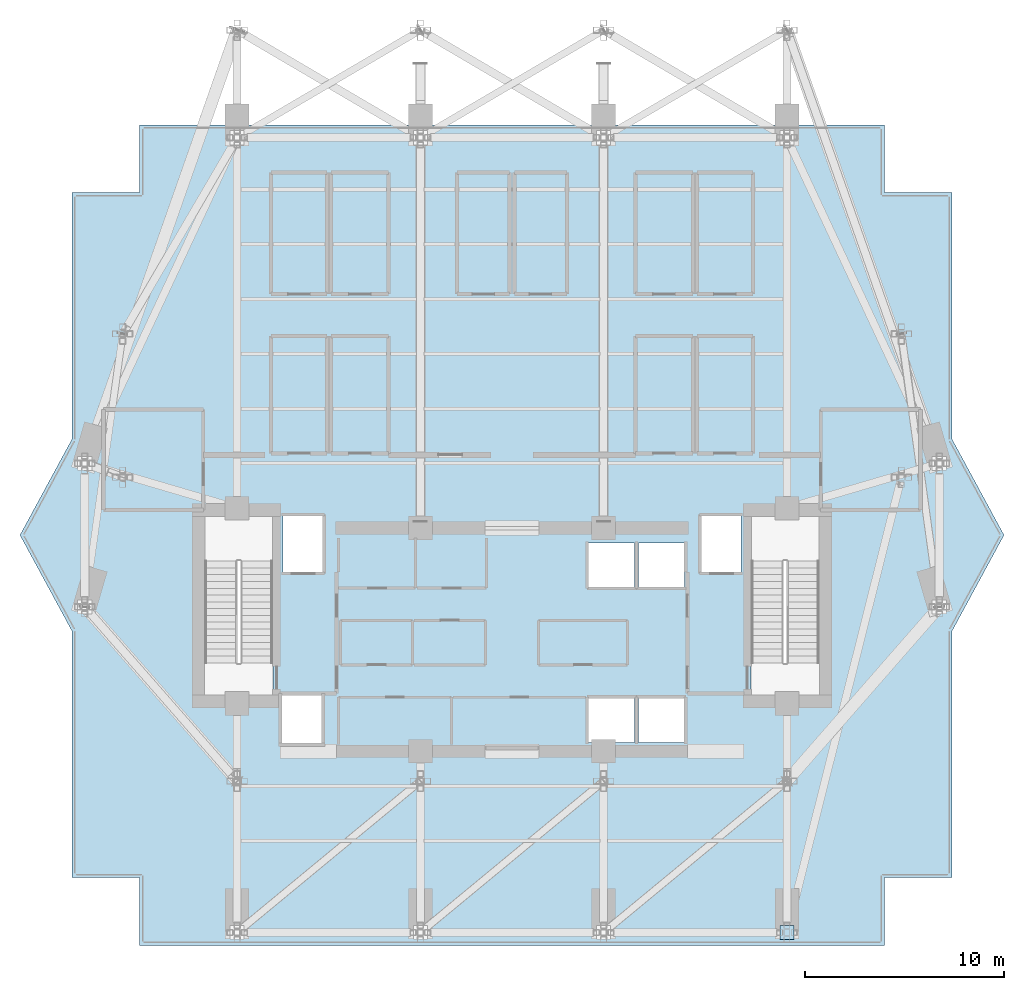
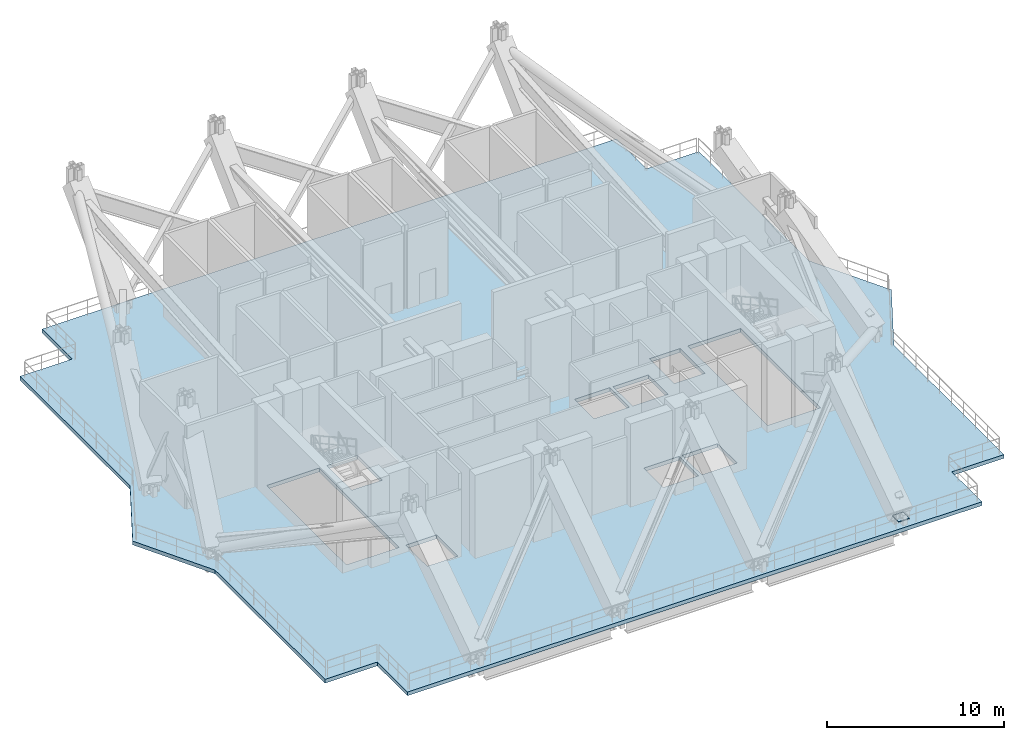
# One storey, part 8 of 18: 1 plate, 1 slab.
"""IFC4 building model written with IfcOpenShell, lengths in metres."""

import ifcopenshell
import ifcopenshell.guid

model = None  # the IFC model being written
_history = None  # IfcOwnerHistory: only IFC2X3 demands one
_inside = {}  # id of a spatial element -> (the spatial element, [elements in it])
_under = {}  # id of a project, library or spatial element -> (it, [spatial elements below it])
_declared = {}  # id of a project -> (the project, [libraries it declares])
_typed = {}  # id of a type object -> (the type object, [elements of that type])
_made_of = {}  # id of a material, layer set ... -> (it, [elements and type objects made of it])


def new_model(schema):
    """Start an empty IFC model of exactly this schema.

    Asked for "IFC4X3", IfcOpenShell would pick the latest addendum, in which some entities
    have other attributes; the version numbers below select the first issue.
    IFC2X3 requires an IfcOwnerHistory on every rooted entity: one is made here for all.
    """
    global model, _history
    if schema == "IFC4X3":
        model = ifcopenshell.file(schema_version=(4, 3, 0, 0))
    else:
        model = ifcopenshell.file(schema=schema)
    _inside.clear()
    _under.clear()
    _declared.clear()
    _typed.clear()
    _made_of.clear()
    _history = None
    if model.schema == "IFC2X3":
        org = make("IfcOrganization", Name="unknown")
        user = make(
            "IfcPersonAndOrganization",
            ThePerson=make("IfcPerson", FamilyName="unknown"),
            TheOrganization=org,
        )
        app = make(
            "IfcApplication",
            ApplicationDeveloper=org,
            Version="unknown",
            ApplicationFullName="unknown",
            ApplicationIdentifier="unknown",
        )
        _history = make(
            "IfcOwnerHistory",
            OwningUser=user,
            OwningApplication=app,
            ChangeAction="ADDED",
            CreationDate=0,
        )
    return model


def make(cls, **values):
    """One entity of the class cls with the attributes given. An attribute that is None is left unset."""
    return model.create_entity(
        cls, **{name: value for name, value in values.items() if value is not None}
    )


def rooted(cls, **values):
    """An entity with a GlobalId (a new one), such as an element, a storey or a relation."""
    return make(cls, GlobalId=ifcopenshell.guid.new(), OwnerHistory=_history, **values)


def si_unit(unit_type, name, prefix=None):
    """IfcSIUnit, for example si_unit("LENGTHUNIT", "METRE", prefix="MILLI")."""
    return make("IfcSIUnit", UnitType=unit_type, Prefix=prefix, Name=name)


def assignment(units):
    """IfcUnitAssignment: the units of a project."""
    return None if units is None else make("IfcUnitAssignment", Units=units)


def point(xyz):
    """IfcCartesianPoint."""
    return None if xyz is None else make("IfcCartesianPoint", Coordinates=xyz)


def direction(xyz):
    """IfcDirection."""
    return None if xyz is None else make("IfcDirection", DirectionRatios=xyz)


def frame(location, z_axis=None, x_axis=None):
    """IfcAxis2Placement3D, a coordinate frame: its origin and axes. An axis left out is left unset."""
    return make(
        "IfcAxis2Placement3D",
        Location=point(location),
        Axis=direction(z_axis),
        RefDirection=direction(x_axis),
    )


def frame_2d(location, x_axis=None):
    """IfcAxis2Placement2D, a coordinate frame in the plane: its origin and x axis."""
    return make(
        "IfcAxis2Placement2D", Location=point(location), RefDirection=direction(x_axis)
    )


def origin():
    """The frame at (0, 0, 0) with its axes left unset."""
    return frame((0.0, 0.0, 0.0))


def origin_2d():
    """The frame at (0, 0) in the plane with its x axis left unset."""
    return frame_2d((0.0, 0.0))


def place(relative_to, where):
    """IfcLocalPlacement: puts the frame where relative to a parent placement (None: the world)."""
    return make(
        "IfcLocalPlacement", PlacementRelTo=relative_to, RelativePlacement=where
    )


def context(
    kind, dimensions, precision=None, world=None, true_north=None, identifier=None
):
    """IfcGeometricRepresentationContext, for example the 3D "Model" context."""
    return make(
        "IfcGeometricRepresentationContext",
        ContextIdentifier=identifier,
        ContextType=kind,
        CoordinateSpaceDimension=dimensions,
        Precision=precision,
        WorldCoordinateSystem=world,
        TrueNorth=true_north,
    )


def subcontext(parent, identifier, kind, view, scale=None):
    """IfcGeometricRepresentationSubContext, for example "Body" below "Model"."""
    return make(
        "IfcGeometricRepresentationSubContext",
        ContextIdentifier=identifier,
        ContextType=kind,
        ParentContext=parent,
        TargetScale=scale,
        TargetView=view,
    )


def project(units=None, contexts=None):
    """IfcProject with its units and contexts."""
    return rooted(
        "IfcProject",
        Name="project",
        RepresentationContexts=contexts,
        UnitsInContext=assignment(units),
    )


def spatial(cls, under=None, at=None, **own):
    """A site, building, storey or space (cls), placed at a placement, below another one or the project."""
    s = rooted(cls, ObjectPlacement=at, **own)
    if under is not None:
        _under.setdefault(under.id(), (under, []))[1].append(s)
    return s


def polyline(points):
    """IfcPolyline through the points."""
    return make("IfcPolyline", Points=[point(p) for p in points])


def profile(cls, at=None, kind="AREA", **sizes):
    """A parametric profile (cls). Its sizes go by their IFC names, for example OverallWidth=200.0."""
    return make(cls, ProfileType=kind, Position=at, **sizes)


def rectangle(**sizes):
    """IfcRectangleProfileDef."""
    return profile("IfcRectangleProfileDef", **sizes)


def outline(outer, holes=None, kind="AREA"):
    """IfcArbitraryClosedProfileDef: a profile drawn as a closed curve; with holes, ...WithVoids."""
    if holes is None:
        return make("IfcArbitraryClosedProfileDef", ProfileType=kind, OuterCurve=outer)
    return make(
        "IfcArbitraryProfileDefWithVoids",
        ProfileType=kind,
        OuterCurve=outer,
        InnerCurves=holes,
    )


def extrude(swept, where, along, depth):
    """IfcExtrudedAreaSolid: the profile swept, set in the frame where, extruded along a direction by depth."""
    return make(
        "IfcExtrudedAreaSolid",
        SweptArea=swept,
        Position=where,
        ExtrudedDirection=direction(along),
        Depth=depth,
    )


def shape(context_of_items, identifier, shape_type, items):
    """IfcShapeRepresentation: the items that make up one representation, for example the "Body"."""
    return make(
        "IfcShapeRepresentation",
        ContextOfItems=context_of_items,
        RepresentationIdentifier=identifier,
        RepresentationType=shape_type,
        Items=items,
    )


def material(Name=None, Category=None):
    """IfcMaterial."""
    return make("IfcMaterial", Name=Name, Category=Category)


def layer(
    of_material, thickness, ventilated=None, Name=None, Category=None, Priority=None
):
    """IfcMaterialLayer: one layer of a wall or slab, of a material (None: an air gap)."""
    return make(
        "IfcMaterialLayer",
        Material=of_material,
        LayerThickness=thickness,
        IsVentilated=ventilated,
        Name=Name,
        Category=Category,
        Priority=Priority,
    )


def layer_set(layers, Name=None):
    """IfcMaterialLayerSet."""
    return make("IfcMaterialLayerSet", MaterialLayers=layers, LayerSetName=Name)


def made_of(thing, what):
    """Note that an element or type object is made of a material, layer set ...; save() writes the relation."""
    if what is not None:
        _made_of.setdefault(what.id(), (what, []))[1].append(thing)
    return thing


def type_object(cls, material=None, **own):
    """A type object (cls), such as IfcWallType, which elements share."""
    return made_of(rooted(cls, **own), material)


def element(
    cls,
    number,
    at=None,
    inside=None,
    cuts=None,
    type_object=None,
    material=None,
    context=None,
    identifier="Body",
    shape_type=None,
    held_by="IfcProductDefinitionShape",
    body=None,
    shapes=None,
    **own,
):
    """One element of the class cls, such as IfcWall. Its Tag is "e" and its number.

    at: its placement. inside: the storey or other place that contains it. cuts: it is an
    opening in that element (IfcRelVoidsElement). A single representation is given by context,
    identifier, shape_type and body (its items); several are given by shapes. held_by: the class
    of the entity that holds the representations. save() writes the other relations.
    """
    e = rooted(cls, Tag="e%d" % number, ObjectPlacement=at, **own)
    if body is not None:
        shapes = [shape(context, identifier, shape_type, body)]
    if shapes is not None:
        e.Representation = make(held_by, Representations=shapes)
    if inside is not None:
        _inside.setdefault(inside.id(), (inside, []))[1].append(e)
    if cuts is not None:
        rooted(
            "IfcRelVoidsElement", RelatingBuildingElement=cuts, RelatedOpeningElement=e
        )
    if type_object is not None:
        _typed.setdefault(type_object.id(), (type_object, []))[1].append(e)
    return made_of(e, material)


def aggregate(whole, parts):
    """IfcRelAggregates: a whole, such as a stair, and the parts it consists of."""
    return rooted("IfcRelAggregates", RelatingObject=whole, RelatedObjects=parts)


def save(model, path):
    """Write the relations noted so far, then the file.

    IfcRelAggregates (storeys below a building ...), IfcRelContainedInSpatialStructure (elements
    in a storey), IfcRelDefinesByType, IfcRelAssociatesMaterial and IfcRelDeclares: one each for
    every whole, place, type object, material and project.
    """
    for whole, parts in _under.values():
        aggregate(whole, parts)
    for where, things in _inside.values():
        rooted(
            "IfcRelContainedInSpatialStructure",
            RelatedElements=things,
            RelatingStructure=where,
        )
    for kind, things in _typed.values():
        rooted("IfcRelDefinesByType", RelatedObjects=things, RelatingType=kind)
    for what, things in _made_of.values():
        rooted("IfcRelAssociatesMaterial", RelatedObjects=things, RelatingMaterial=what)
    for by, libraries in _declared.values():
        rooted("IfcRelDeclares", RelatingContext=by, RelatedDefinitions=libraries)
    model.write(path)


model = new_model("IFC4")

# Units and contexts
model_context = context("Model", 3, precision=1e-05, world=origin(), true_north=direction((0.0, 1.0)))
body_context = subcontext(model_context, "Body", "Model", "MODEL_VIEW")
ifc_project = project(units=[si_unit("LENGTHUNIT", "METRE"), si_unit("AREAUNIT", "SQUARE_METRE"), si_unit("VOLUMEUNIT", "CUBIC_METRE"), si_unit("PLANEANGLEUNIT", "RADIAN"), si_unit("MASSUNIT", "GRAM", prefix="KILO")], contexts=[model_context])

# Site, building, storey
site_placement = place(None, origin())
site = spatial("IfcSite", under=ifc_project, at=site_placement, CompositionType="ELEMENT")
building_placement = place(site_placement, origin())
building = spatial("IfcBuilding", under=site, at=building_placement, Name="Zuhayl Quay Hotel", CompositionType="ELEMENT")
storey_placement = place(building_placement, frame((0.0, 0.0, 233.64990234375)))
storey = spatial("IfcBuildingStorey", under=building, at=storey_placement, Name="L59", CompositionType="ELEMENT", Elevation=233.64990234375)

# Slab
ifc_material_1 = material(Name="Concrete C45/55", Category="concrete")
ifc_layer_1 = layer(ifc_material_1, 0.260009765625, Name="Concrete C45/55", Category="concrete")
ifc_layer_set_1 = layer_set([ifc_layer_1], Name="Concrete C45/55")
slab_type = type_object("IfcSlabType", Name="SL_FLOOR_260", PredefinedType="FLOOR", material=ifc_layer_set_1)
slab_placement = place(storey_placement, frame((0.0, 0.0, -0.260009765625)))
element("IfcSlab", 1, at=slab_placement, inside=storey, type_object=slab_type, Name="L59 Structural Floor Slab", PredefinedType="FLOOR", context=body_context, shape_type="SweptSolid", body=[
    extrude(outline(polyline([(-18.699951171875, -7.60009765625), (18.699951171875, -7.60009765625), (18.699951171875, -4.199951171875), (22.10009765625, -4.199951171875), (22.10009765625, 8.199951171875), (24.699951171875, 13.0), (22.10009765625, 17.800048828125), (22.10009765625, 30.199951171875), (18.699951171875, 30.199951171875), (18.699951171875, 33.60009765625), (-18.699951171875, 33.60009765625), (-18.699951171875, 30.199951171875), (-22.10009765625, 30.199951171875), (-22.10009765625, 17.800048828125), (-24.699951171875, 13.0), (-22.10009765625, 8.199951171875), (-22.10009765625, -4.199951171875), (-18.699951171875, -4.199951171875), (-18.699951171875, -7.60009765625)]), holes=[polyline([(-12.0, 4.949951171875), (-12.0, 13.949951171875), (-15.429931640625, 13.949951171875), (-15.429931640625, 4.949951171875), (-12.0, 4.949951171875)]), polyline([(15.429931640625, 4.949951171875), (15.429931640625, 13.949951171875), (12.0, 13.949951171875), (12.0, 4.949951171875), (15.429931640625, 4.949951171875)]), polyline([(-11.5, 11.14990234375), (-9.5, 11.14990234375), (-9.5, 13.949951171875), (-11.5, 13.949951171875), (-11.5, 11.14990234375)]), polyline([(9.5, 11.14990234375), (11.5, 11.14990234375), (11.5, 13.949951171875), (9.5, 13.949951171875), (9.5, 11.14990234375)]), polyline([(3.85009765625, 2.60009765625), (6.14990234375, 2.60009765625), (6.14990234375, 4.800048828125), (3.85009765625, 4.800048828125), (3.85009765625, 2.60009765625)]), polyline([(6.35009765625, 2.60009765625), (8.64990234375, 2.60009765625), (8.64990234375, 4.800048828125), (6.35009765625, 4.800048828125), (6.35009765625, 2.60009765625)]), polyline([(3.85009765625, 10.39990234375), (6.14990234375, 10.39990234375), (6.14990234375, 12.60009765625), (3.85009765625, 12.60009765625), (3.85009765625, 10.39990234375)]), polyline([(6.35009765625, 10.39990234375), (8.64990234375, 10.39990234375), (8.64990234375, 12.60009765625), (6.35009765625, 12.60009765625), (6.35009765625, 10.39990234375)]), polyline([(-11.550048828125, 2.550048828125), (-9.550048828125, 2.550048828125), (-9.550048828125, 4.949951171875), (-11.550048828125, 4.949951171875), (-11.550048828125, 2.550048828125)])]), origin(), (0.0, 0.0, 1.0), 0.260009765625),
])

# Plate
ifc_material_2 = material(Name="Steel ASTM A572 Grade 50", Category="steel")
ifc_layer_2 = layer(ifc_material_2, 0.0400390625, Name="Steel ASTM A572 Grade 50", Category="steel")
ifc_layer_set_2 = layer_set([ifc_layer_2], Name="Steel ASTM A572 Grade 50")
plate_type = type_object("IfcPlateType", Name="TP_CAP_PLATE_40", PredefinedType="USERDEFINED", material=ifc_layer_set_2)
plate_placement = place(storey_placement, frame((13.800048828125, -6.949951171875, 0.24609375), z_axis=(0.0, 0.0, 1.0), x_axis=(1.0, 0.0, 0.0)))
element("IfcPlate", 2, at=plate_placement, inside=storey, type_object=plate_type, Name="Truss Node Cap Assembly KN1", ObjectType="GUSSET PLATE", PredefinedType="USERDEFINED", context=body_context, shape_type="SweptSolid", body=[
    extrude(rectangle(XDim=0.708984375, YDim=0.708984375, at=origin_2d()), origin(), (0.0, 0.0, 1.0), 0.0400390625),
])

save(model, "model.ifc")
